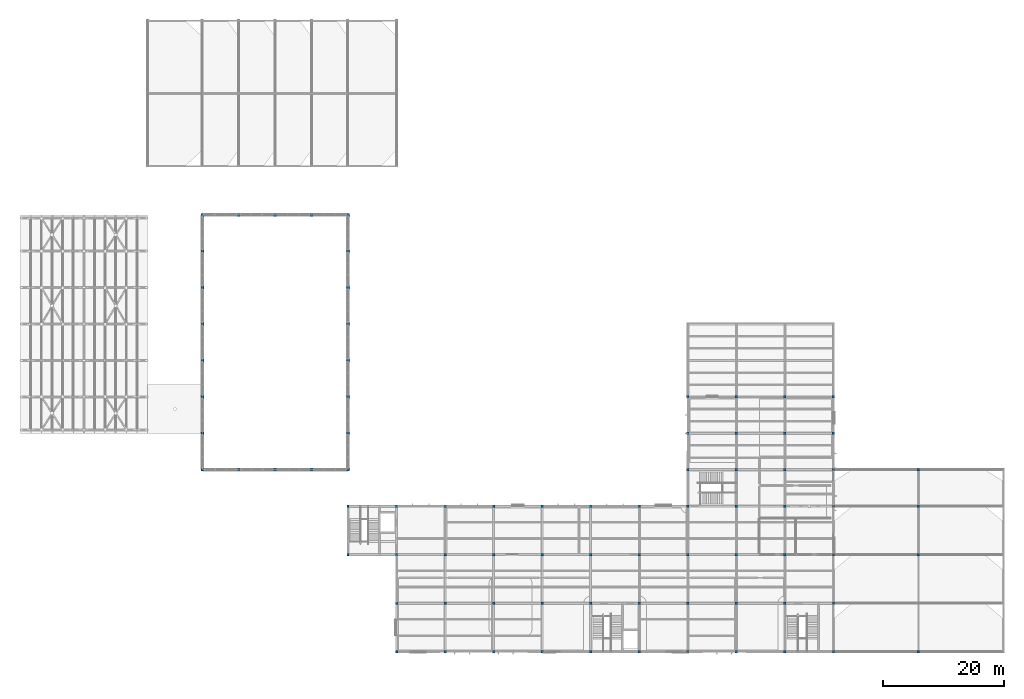
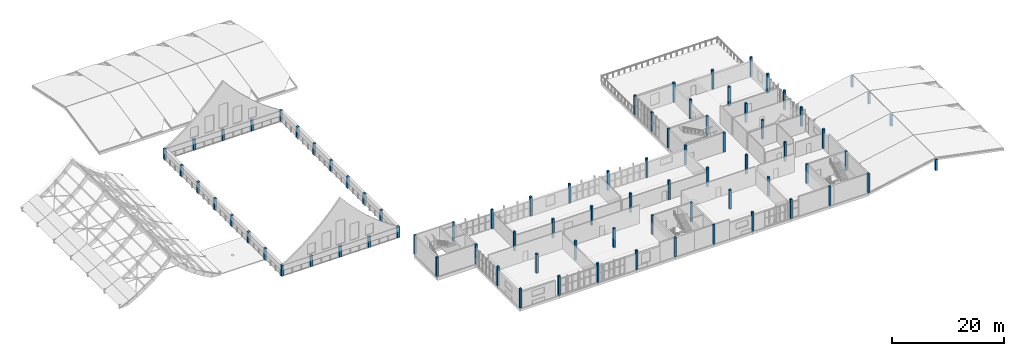
# One storey, part 1 of 45: 80 columns.
"""IFC4 building model written with IfcOpenShell, lengths in metres."""

from ifc_helpers import new_model, si_unit, direction, frame, origin, origin_2d, place, context, subcontext, project, spatial, rectangle, extrude, material, material_profile, profile_set, type_object, element, save


model = new_model("IFC4")

# Units and contexts
model_context = context("Model", 3, precision=1e-05, world=origin(), true_north=direction((0.0, 1.0)))
body_context = subcontext(model_context, "Body", "Model", "MODEL_VIEW")
ifc_project = project(units=[si_unit("LENGTHUNIT", "METRE"), si_unit("AREAUNIT", "SQUARE_METRE"), si_unit("VOLUMEUNIT", "CUBIC_METRE"), si_unit("PLANEANGLEUNIT", "RADIAN"), si_unit("MASSUNIT", "GRAM", prefix="KILO")], contexts=[model_context])

# Site, building, storey
site_placement = place(None, origin())
site = spatial("IfcSite", under=ifc_project, at=site_placement, CompositionType="ELEMENT")
building_placement = place(site_placement, origin())
building = spatial("IfcBuilding", under=site, at=building_placement, Name="Solvane Community Centre", CompositionType="ELEMENT")
storey_placement = place(building_placement, frame((0.0, 0.0, 13.800048828125)))
storey = spatial("IfcBuildingStorey", under=building, at=storey_placement, Name="L03", CompositionType="ELEMENT", Elevation=13.800048828125)

# Columns
ifc_material = material(Name="Glulam GL32h", Category="wood")
ifc_material_profile_1 = material_profile(ifc_material, rectangle(XDim=0.39990234375, YDim=0.39990234375, at=origin_2d()), Name="GL32h 400x400")
ifc_profile_set_1 = profile_set([ifc_material_profile_1], Name="Glulam GL32h")
column_type_1 = type_object("IfcColumnType", Name="Glulam Column 400x400", PredefinedType="COLUMN", material=ifc_profile_set_1)
for number, where, z_axis, x_axis, name in (
    (1, (60.0, 22.0, 0.0), (0.0, 0.0, 1.0), (1.0, 0.0, 0.0), "Column COL-L03-10-C"),
    (2, (60.0, 30.0, 0.0), (0.0, 0.0, 1.0), (1.0, 0.0, 0.0), "Column COL-L03-10-D"),
    (3, (68.0, 22.0, 0.0), (0.0, 0.0, 1.0), (1.0, 0.0, 0.0), "Column COL-L03-11-C"),
    (4, (68.0, 30.0, 0.0), (0.0, 0.0, 1.0), (1.0, 0.0, 0.0), "Column COL-L03-11-D"),
    (5, (76.0, 22.0, 0.0), (0.0, 0.0, 1.0), (1.0, 0.0, 0.0), "Column COL-L03-12-C"),
    (6, (76.0, 30.0, 0.0), (0.0, 0.0, 1.0), (1.0, 0.0, 0.0), "Column COL-L03-12-D"),
    (7, (84.0, 6.0, 0.0), (0.0, 0.0, 1.0), (1.0, 0.0, 0.0), "Column COL-L03-13-A"),
    (8, (84.0, 14.0, 0.0), (0.0, 0.0, 1.0), (1.0, 0.0, 0.0), "Column COL-L03-13-B"),
    (9, (84.0, 22.0, 0.0), (0.0, 0.0, 1.0), (1.0, 0.0, 0.0), "Column COL-L03-13-C"),
    (10, (84.0, 30.0, 0.0), (0.0, 0.0, 1.0), (1.0, 0.0, 0.0), "Column COL-L03-13-D"),
    (11, (92.0, 6.0, 0.0), (0.0, 0.0, 1.0), (1.0, 0.0, 0.0), "Column COL-L03-14-A"),
    (12, (92.0, 14.0, 0.0), (0.0, 0.0, 1.0), (1.0, 0.0, 0.0), "Column COL-L03-14-B"),
    (13, (92.0, 22.0, 0.0), (0.0, 0.0, 1.0), (1.0, 0.0, 0.0), "Column COL-L03-14-C"),
    (14, (92.0, 30.0, 0.0), (0.0, 0.0, 1.0), (1.0, 0.0, 0.0), "Column COL-L03-14-D"),
    (15, (100.0, 6.0, 0.0), (0.0, 0.0, 1.0), (1.0, 0.0, 0.0), "Column COL-L03-15-A"),
    (16, (100.0, 14.0, 0.0), (0.0, 0.0, 1.0), (1.0, 0.0, 0.0), "Column COL-L03-15-B"),
    (17, (100.0, 22.0, 0.0), (0.0, 0.0, 1.0), (1.0, 0.0, 0.0), "Column COL-L03-15-C"),
    (18, (100.0, 30.0, 0.0), (0.0, 0.0, 1.0), (1.0, 0.0, 0.0), "Column COL-L03-15-D"),
    (19, (108.0, 6.0, 0.0), (0.0, 0.0, 1.0), (1.0, 0.0, 0.0), "Column COL-L03-16-A"),
    (20, (108.0, 14.0, 0.0), (0.0, 0.0, 1.0), (1.0, 0.0, 0.0), "Column COL-L03-16-B"),
    (21, (108.0, 22.0, 0.0), (0.0, 0.0, 1.0), (1.0, 0.0, 0.0), "Column COL-L03-16-C"),
    (22, (108.0, 30.0, 0.0), (0.0, 0.0, 1.0), (1.0, 0.0, 0.0), "Column COL-L03-16-D"),
    (23, (116.0, 6.0, 0.0), (0.0, 0.0, 1.0), (1.0, 0.0, 0.0), "Column COL-L03-17-A"),
    (24, (116.0, 14.0, 0.0), (0.0, 0.0, 1.0), (1.0, 0.0, 0.0), "Column COL-L03-17-B"),
    (25, (116.0, 22.0, 0.0), (0.0, 0.0, 1.0), (1.0, 0.0, 0.0), "Column COL-L03-17-C"),
    (26, (116.0, 30.0, 0.0), (0.0, 0.0, 1.0), (1.0, 0.0, 0.0), "Column COL-L03-17-D"),
    (27, (124.0, 6.0, 0.0), (0.0, 0.0, 1.0), (1.0, 0.0, 0.0), "Column COL-L03-18-A"),
    (28, (124.0, 14.0, 0.0), (0.0, 0.0, 1.0), (1.0, 0.0, 0.0), "Column COL-L03-18-B"),
    (29, (124.0, 22.0, 0.0), (0.0, 0.0, 1.0), (1.0, 0.0, 0.0), "Column COL-L03-18-C"),
    (30, (124.0, 30.0, 0.0), (0.0, 0.0, 1.0), (1.0, 0.0, 0.0), "Column COL-L03-18-D"),
    (31, (132.0, 6.0, 0.0), (0.0, 0.0, 1.0), (1.0, 0.0, 0.0), "Column COL-L03-19-A"),
    (32, (132.0, 14.0, 0.0), (0.0, 0.0, 1.0), (1.0, 0.0, 0.0), "Column COL-L03-19-B"),
    (33, (132.0, 22.0, 0.0), (0.0, 0.0, 1.0), (1.0, 0.0, 0.0), "Column COL-L03-19-C"),
    (34, (132.0, 30.0, 0.0), (0.0, 0.0, 1.0), (1.0, 0.0, 0.0), "Column COL-L03-19-D"),
    (35, (140.0, 6.0, 0.0), (0.0, 0.0, 1.0), (1.0, 0.0, 0.0), "Column COL-L03-20-A"),
    (36, (140.0, 14.0, 0.0), (0.0, 0.0, 1.0), (1.0, 0.0, 0.0), "Column COL-L03-20-B"),
    (37, (140.0, 22.0, 0.0), (0.0, 0.0, 1.0), (1.0, 0.0, 0.0), "Column COL-L03-20-C"),
    (38, (140.0, 30.0, 0.0), (0.0, 0.0, 1.0), (1.0, 0.0, 0.0), "Column COL-L03-20-D"),
):
    element("IfcColumn", number, at=place(storey_placement, frame(where, z_axis=z_axis, x_axis=x_axis)), inside=storey, type_object=column_type_1, Name=name, PredefinedType="COLUMN", context=body_context, shape_type="SweptSolid", body=[
        extrude(rectangle(XDim=0.39990234375, YDim=0.39990234375, at=origin_2d()), origin(), (0.0, 0.0, 1.0), 4.199951171875),
    ])
for number, where, z_axis, x_axis, name in (
    (39, (154.0, 6.0, 0.0), (0.0, 0.0, 1.0), (1.0, 0.0, 0.0), "Dining Roof Ridge Post COL-L03-22-A-RDG"),
    (40, (154.0, 22.0, 0.0), (0.0, 0.0, 1.0), (1.0, 0.0, 0.0), "Dining Roof Ridge Post COL-L03-22-C-RDG"),
    (41, (154.0, 30.0, 0.0), (0.0, 0.0, 1.0), (1.0, 0.0, 0.0), "Dining Roof Ridge Post COL-L03-22-D-RDG"),
    (42, (154.0, 36.0, 0.0), (0.0, 0.0, 1.0), (1.0, 0.0, 0.0), "Dining Roof Ridge Post COL-L03-22-E-RDG"),
):
    element("IfcColumn", number, at=place(storey_placement, frame(where, z_axis=z_axis, x_axis=x_axis)), inside=storey, type_object=column_type_1, Name=name, PredefinedType="COLUMN", context=body_context, shape_type="SweptSolid", body=[
        extrude(rectangle(XDim=0.39990234375, YDim=0.39990234375, at=origin_2d()), origin(), (0.0, 0.0, 1.0), 2.419921875),
    ])
ifc_material_profile_2 = material_profile(ifc_material, rectangle(XDim=0.47998046875, YDim=0.47998046875, at=origin_2d()), Name="GL32h 480x480")
ifc_profile_set_2 = profile_set([ifc_material_profile_2], Name="Glulam GL32h")
column_type_2 = type_object("IfcColumnType", Name="Glulam Heavy Column 480x480", PredefinedType="COLUMN", material=ifc_profile_set_2)
for number, where, z_axis, x_axis, name in (
    (43, (36.0, 36.0, 0.0), (0.0, 0.0, 1.0), (1.0, 0.0, 0.0), "Hall Drum Column COL-L03-DRM-360_360-V1"),
    (44, (36.0, 42.0, 0.0), (0.0, 0.0, 1.0), (1.0, 0.0, 0.0), "Hall Drum Column COL-L03-DRM-360_420-V1"),
    (45, (36.0, 48.0, 0.0), (0.0, 0.0, 1.0), (1.0, 0.0, 0.0), "Hall Drum Column COL-L03-DRM-360_480-V1"),
    (46, (36.0, 54.0, 0.0), (0.0, 0.0, 1.0), (1.0, 0.0, 0.0), "Hall Drum Column COL-L03-DRM-360_540-V1"),
    (47, (36.0, 60.0, 0.0), (0.0, 0.0, 1.0), (1.0, 0.0, 0.0), "Hall Drum Column COL-L03-DRM-360_600-V1"),
    (48, (36.0, 66.0, 0.0), (0.0, 0.0, 1.0), (1.0, 0.0, 0.0), "Hall Drum Column COL-L03-DRM-360_660-V1"),
    (49, (36.0, 72.0, 0.0), (0.0, 0.0, 1.0), (1.0, 0.0, 0.0), "Hall Drum Column COL-L03-DRM-360_720-V1"),
    (50, (36.0, 78.0, 0.0), (0.0, 0.0, 1.0), (1.0, 0.0, 0.0), "Hall Drum Column COL-L03-DRM-360_780-V1"),
    (51, (60.0, 36.0, 0.0), (0.0, 0.0, 1.0), (1.0, 0.0, 0.0), "Hall Drum Column COL-L03-DRM-600_360-V1"),
    (52, (60.0, 42.0, 0.0), (0.0, 0.0, 1.0), (1.0, 0.0, 0.0), "Hall Drum Column COL-L03-DRM-600_420-V1"),
    (53, (60.0, 48.0, 0.0), (0.0, 0.0, 1.0), (1.0, 0.0, 0.0), "Hall Drum Column COL-L03-DRM-600_480-V1"),
    (54, (60.0, 54.0, 0.0), (0.0, 0.0, 1.0), (1.0, 0.0, 0.0), "Hall Drum Column COL-L03-DRM-600_540-V1"),
    (55, (60.0, 60.0, 0.0), (0.0, 0.0, 1.0), (1.0, 0.0, 0.0), "Hall Drum Column COL-L03-DRM-600_600-V1"),
    (56, (60.0, 66.0, 0.0), (0.0, 0.0, 1.0), (1.0, 0.0, 0.0), "Hall Drum Column COL-L03-DRM-600_660-V1"),
    (57, (60.0, 72.0, 0.0), (0.0, 0.0, 1.0), (1.0, 0.0, 0.0), "Hall Drum Column COL-L03-DRM-600_720-V1"),
    (58, (60.0, 78.0, 0.0), (0.0, 0.0, 1.0), (1.0, 0.0, 0.0), "Hall Drum Column COL-L03-DRM-600_780-V1"),
    (59, (42.0, 36.0, 0.0), (0.0, 0.0, 1.0), (1.0, 0.0, 0.0), "Hall Drum Column COL-L03-DRM-420_360-V1"),
    (60, (42.0, 78.0, 0.0), (0.0, 0.0, 1.0), (1.0, 0.0, 0.0), "Hall Drum Column COL-L03-DRM-420_780-V1"),
    (61, (48.0, 36.0, 0.0), (0.0, 0.0, 1.0), (1.0, 0.0, 0.0), "Hall Drum Column COL-L03-DRM-480_360-V1"),
    (62, (48.0, 78.0, 0.0), (0.0, 0.0, 1.0), (1.0, 0.0, 0.0), "Hall Drum Column COL-L03-DRM-480_780-V1"),
    (63, (54.0, 36.0, 0.0), (0.0, 0.0, 1.0), (1.0, 0.0, 0.0), "Hall Drum Column COL-L03-DRM-540_360-V1"),
    (64, (54.0, 78.0, 0.0), (0.0, 0.0, 1.0), (1.0, 0.0, 0.0), "Hall Drum Column COL-L03-DRM-540_780-V1"),
):
    element("IfcColumn", number, at=place(storey_placement, frame(where, z_axis=z_axis, x_axis=x_axis)), inside=storey, type_object=column_type_2, Name=name, PredefinedType="COLUMN", context=body_context, shape_type="SweptSolid", body=[
        extrude(rectangle(XDim=0.47998046875, YDim=0.47998046875, at=origin_2d()), origin(), (0.0, 0.0, 1.0), 2.39990234375),
    ])
ifc_material_profile_3 = material_profile(ifc_material, rectangle(XDim=0.419921875, YDim=0.419921875, at=origin_2d()), Name="GL32h 420x420")
ifc_profile_set_3 = profile_set([ifc_material_profile_3], Name="Glulam GL32h")
column_type_3 = type_object("IfcColumnType", Name="Glulam Studio Column 420x420", PredefinedType="COLUMN", material=ifc_profile_set_3)
for number, where, z_axis, x_axis, name in (
    (65, (68.0, 6.0, 0.0), (0.0, 0.0, 1.0), (1.0, 0.0, 0.0), "Column COL-L03-11-A"),
    (66, (68.0, 14.0, 0.0), (0.0, 0.0, 1.0), (1.0, 0.0, 0.0), "Column COL-L03-11-B"),
    (67, (76.0, 6.0, 0.0), (0.0, 0.0, 1.0), (1.0, 0.0, 0.0), "Column COL-L03-12-A"),
    (68, (76.0, 14.0, 0.0), (0.0, 0.0, 1.0), (1.0, 0.0, 0.0), "Column COL-L03-12-B"),
    (69, (116.0, 36.0, 0.0), (0.0, 0.0, 1.0), (1.0, 0.0, 0.0), "Column COL-L03-17-E"),
    (70, (116.0, 42.0, 0.0), (0.0, 0.0, 1.0), (1.0, 0.0, 0.0), "Column COL-L03-17-F"),
    (71, (116.0, 48.0, 0.0), (0.0, 0.0, 1.0), (1.0, 0.0, 0.0), "Column COL-L03-17-G"),
    (72, (124.0, 36.0, 0.0), (0.0, 0.0, 1.0), (1.0, 0.0, 0.0), "Column COL-L03-18-E"),
    (73, (124.0, 42.0, 0.0), (0.0, 0.0, 1.0), (1.0, 0.0, 0.0), "Column COL-L03-18-F"),
    (74, (124.0, 48.0, 0.0), (0.0, 0.0, 1.0), (1.0, 0.0, 0.0), "Column COL-L03-18-G"),
    (75, (132.0, 36.0, 0.0), (0.0, 0.0, 1.0), (1.0, 0.0, 0.0), "Column COL-L03-19-E"),
    (76, (132.0, 42.0, 0.0), (0.0, 0.0, 1.0), (1.0, 0.0, 0.0), "Column COL-L03-19-F"),
    (77, (132.0, 48.0, 0.0), (0.0, 0.0, 1.0), (1.0, 0.0, 0.0), "Column COL-L03-19-G"),
    (78, (140.0, 36.0, 0.0), (0.0, 0.0, 1.0), (1.0, 0.0, 0.0), "Column COL-L03-20-E"),
    (79, (140.0, 42.0, 0.0), (0.0, 0.0, 1.0), (1.0, 0.0, 0.0), "Column COL-L03-20-F"),
    (80, (140.0, 48.0, 0.0), (0.0, 0.0, 1.0), (1.0, 0.0, 0.0), "Column COL-L03-20-G"),
):
    element("IfcColumn", number, at=place(storey_placement, frame(where, z_axis=z_axis, x_axis=x_axis)), inside=storey, type_object=column_type_3, Name=name, PredefinedType="COLUMN", context=body_context, shape_type="SweptSolid", body=[
        extrude(rectangle(XDim=0.419921875, YDim=0.419921875, at=origin_2d()), origin(), (0.0, 0.0, 1.0), 4.199951171875),
    ])

save(model, "model.ifc")
